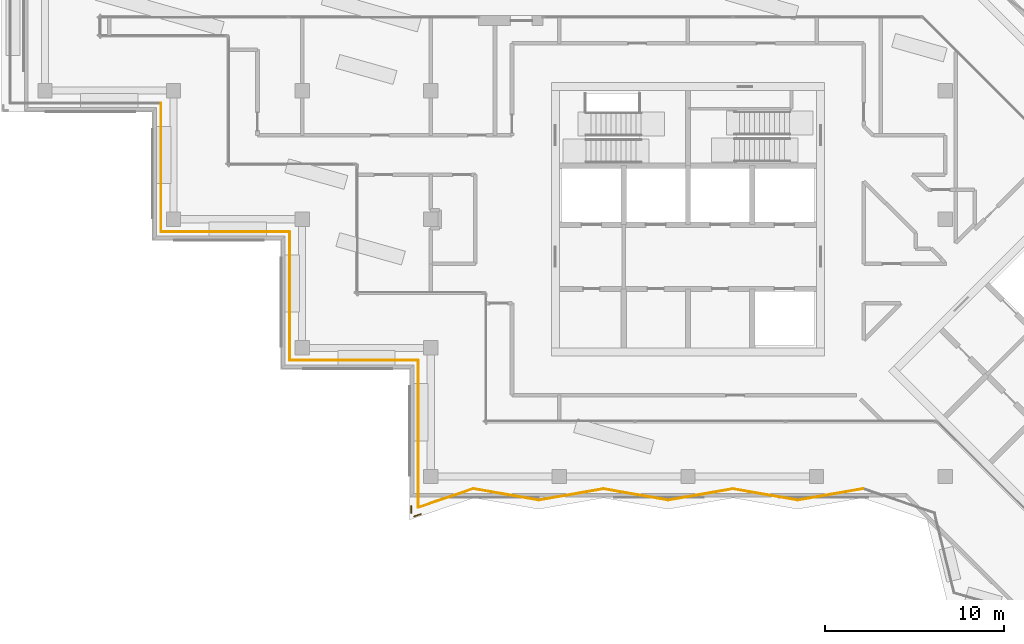
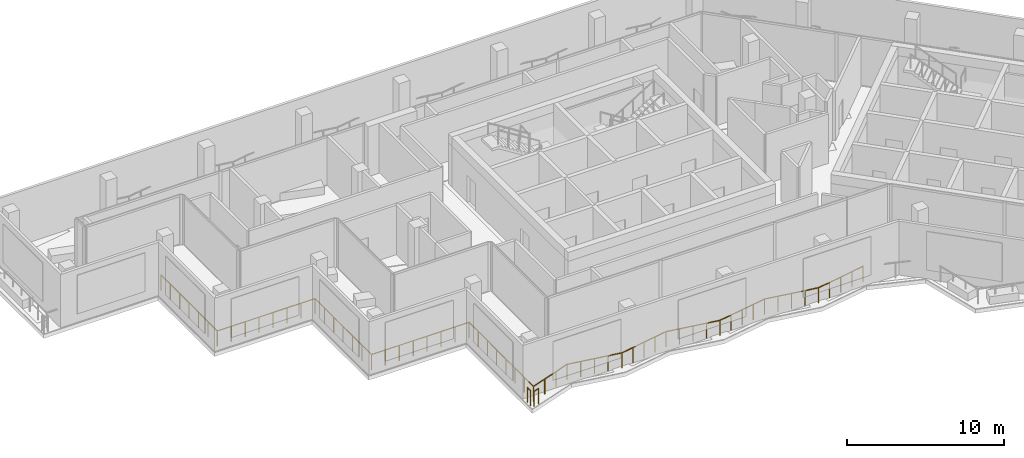
# One storey, part 13 of 19: 14 railings.
"""IFC4 building model written with IfcOpenShell, lengths in metres."""

from ifc_helpers import new_model, si_unit, direction, frame, origin, origin_2d, place, context, subcontext, project, spatial, circle, extrude, material, type_object, element, save


model = new_model("IFC4")

# Units and contexts
model_context = context("Model", 3, precision=1e-05, world=origin(), true_north=direction((0.0, 1.0)))
body_context = subcontext(model_context, "Body", "Model", "MODEL_VIEW")
ifc_project = project(units=[si_unit("LENGTHUNIT", "METRE"), si_unit("AREAUNIT", "SQUARE_METRE"), si_unit("VOLUMEUNIT", "CUBIC_METRE"), si_unit("PLANEANGLEUNIT", "RADIAN"), si_unit("MASSUNIT", "GRAM", prefix="KILO")], contexts=[model_context])

# Site, building, storey
site_placement = place(None, origin())
site = spatial("IfcSite", under=ifc_project, at=site_placement, CompositionType="ELEMENT")
building_placement = place(site_placement, origin())
building = spatial("IfcBuilding", under=site, at=building_placement, Name="Windrow Commons", CompositionType="ELEMENT")
storey_placement = place(building_placement, frame((0.0, 0.0, 230.4)))
storey = spatial("IfcBuildingStorey", under=building, at=storey_placement, Name="L63", CompositionType="ELEMENT", Elevation=230.4)

# Railings
ifc_material = material(Name="Stainless steel S316 balustrade with toughened glass infill", Category="steel")
railing_type = type_object("IfcRailingType", Name="Terrace guard 1200 podium", PredefinedType="BALUSTRADE", material=ifc_material)
railing_1_placement = place(storey_placement, frame((70.9417, 41.8746, 0.05)))
element("IfcRailing", 1, at=railing_1_placement, inside=storey, type_object=railing_type, Name="Guard TR-L63-1.E1", PredefinedType="BALUSTRADE", context=body_context, shape_type="SweptSolid", body=[
    extrude(circle(Radius=0.025, at=origin_2d()), frame((0.0, 0.0, 1.175), z_axis=(-0.9850825833, 0.1720822594, 0.0), x_axis=(-0.1720822594, -0.9850825833, 0.0)), (0.0, 0.0, 1.0), 3.6785),
    extrude(circle(Radius=0.02, at=origin_2d()), origin(), (0.0, 0.0, 1.0), 1.15),
    extrude(circle(Radius=0.02, at=origin_2d()), frame((-0.9059, 0.1582, 0.0)), (0.0, 0.0, 1.0), 1.15),
    extrude(circle(Radius=0.02, at=origin_2d()), frame((-1.8118, 0.3165, 0.0)), (0.0, 0.0, 1.0), 1.15),
    extrude(circle(Radius=0.02, at=origin_2d()), frame((-2.7177, 0.4747, 0.0)), (0.0, 0.0, 1.0), 1.15),
    extrude(circle(Radius=0.02, at=origin_2d()), frame((-3.6236, 0.633, 0.0)), (0.0, 0.0, 1.0), 1.15),
])
railing_2_placement = place(storey_placement, frame((67.3181, 42.5076, 0.05)))
element("IfcRailing", 2, at=railing_2_placement, inside=storey, type_object=railing_type, Name="Guard TR-L63-1.E2", PredefinedType="BALUSTRADE", context=body_context, shape_type="SweptSolid", body=[
    extrude(circle(Radius=0.025, at=origin_2d()), frame((0.0, 0.0, 1.175), z_axis=(-0.9850833883, -0.1720776512, 0.0), x_axis=(0.1720776512, -0.9850833883, 0.0)), (0.0, 0.0, 1.0), 3.6786),
    extrude(circle(Radius=0.02, at=origin_2d()), origin(), (0.0, 0.0, 1.0), 1.15),
    extrude(circle(Radius=0.02, at=origin_2d()), frame((-0.9059, -0.1582, 0.0)), (0.0, 0.0, 1.0), 1.15),
    extrude(circle(Radius=0.02, at=origin_2d()), frame((-1.8118, -0.3165, 0.0)), (0.0, 0.0, 1.0), 1.15),
    extrude(circle(Radius=0.02, at=origin_2d()), frame((-2.7178, -0.4747, 0.0)), (0.0, 0.0, 1.0), 1.15),
    extrude(circle(Radius=0.02, at=origin_2d()), frame((-3.6237, -0.633, 0.0)), (0.0, 0.0, 1.0), 1.15),
])
railing_3_placement = place(storey_placement, frame((63.6944, 41.8746, 0.05)))
element("IfcRailing", 3, at=railing_3_placement, inside=storey, type_object=railing_type, Name="Guard TR-L63-1.E3", PredefinedType="BALUSTRADE", context=body_context, shape_type="SweptSolid", body=[
    extrude(circle(Radius=0.025, at=origin_2d()), frame((0.0, 0.0, 1.175), z_axis=(-0.9850825833, 0.1720822594, 0.0), x_axis=(-0.1720822594, -0.9850825833, 0.0)), (0.0, 0.0, 1.0), 3.6785),
    extrude(circle(Radius=0.02, at=origin_2d()), origin(), (0.0, 0.0, 1.0), 1.15),
    extrude(circle(Radius=0.02, at=origin_2d()), frame((-0.9059, 0.1582, 0.0)), (0.0, 0.0, 1.0), 1.15),
    extrude(circle(Radius=0.02, at=origin_2d()), frame((-1.8118, 0.3165, 0.0)), (0.0, 0.0, 1.0), 1.15),
    extrude(circle(Radius=0.02, at=origin_2d()), frame((-2.7177, 0.4747, 0.0)), (0.0, 0.0, 1.0), 1.15),
    extrude(circle(Radius=0.02, at=origin_2d()), frame((-3.6236, 0.633, 0.0)), (0.0, 0.0, 1.0), 1.15),
])
railing_4_placement = place(storey_placement, frame((60.0708, 42.5076, 0.05)))
element("IfcRailing", 4, at=railing_4_placement, inside=storey, type_object=railing_type, Name="Guard TR-L63-1.E4", PredefinedType="BALUSTRADE", context=body_context, shape_type="SweptSolid", body=[
    extrude(circle(Radius=0.025, at=origin_2d()), frame((0.0, 0.0, 1.175), z_axis=(-0.9850825833, -0.1720822594, 0.0), x_axis=(0.1720822594, -0.9850825833, 0.0)), (0.0, 0.0, 1.0), 3.6785),
    extrude(circle(Radius=0.02, at=origin_2d()), origin(), (0.0, 0.0, 1.0), 1.15),
    extrude(circle(Radius=0.02, at=origin_2d()), frame((-0.9059, -0.1582, 0.0)), (0.0, 0.0, 1.0), 1.15),
    extrude(circle(Radius=0.02, at=origin_2d()), frame((-1.8118, -0.3165, 0.0)), (0.0, 0.0, 1.0), 1.15),
    extrude(circle(Radius=0.02, at=origin_2d()), frame((-2.7177, -0.4747, 0.0)), (0.0, 0.0, 1.0), 1.15),
    extrude(circle(Radius=0.02, at=origin_2d()), frame((-3.6236, -0.633, 0.0)), (0.0, 0.0, 1.0), 1.15),
])
railing_5_placement = place(storey_placement, frame((56.4472, 41.8746, 0.05)))
element("IfcRailing", 5, at=railing_5_placement, inside=storey, type_object=railing_type, Name="Guard TR-L63-1.E5", PredefinedType="BALUSTRADE", context=body_context, shape_type="SweptSolid", body=[
    extrude(circle(Radius=0.025, at=origin_2d()), frame((0.0, 0.0, 1.175), z_axis=(-0.9850820148, 0.1720855141, 0.0), x_axis=(-0.1720855141, -0.9850820148, 0.0)), (0.0, 0.0, 1.0), 3.7191),
    extrude(circle(Radius=0.02, at=origin_2d()), origin(), (0.0, 0.0, 1.0), 1.15),
    extrude(circle(Radius=0.02, at=origin_2d()), frame((-0.9159, 0.16, 0.0)), (0.0, 0.0, 1.0), 1.15),
    extrude(circle(Radius=0.02, at=origin_2d()), frame((-1.8318, 0.32, 0.0)), (0.0, 0.0, 1.0), 1.15),
    extrude(circle(Radius=0.02, at=origin_2d()), frame((-2.7477, 0.48, 0.0)), (0.0, 0.0, 1.0), 1.15),
    extrude(circle(Radius=0.02, at=origin_2d()), frame((-3.6636, 0.64, 0.0)), (0.0, 0.0, 1.0), 1.15),
])
railing_6_placement = place(storey_placement, frame((52.7836, 42.5146, 0.05)))
element("IfcRailing", 6, at=railing_6_placement, inside=storey, type_object=railing_type, Name="Guard TR-L63-1.E6", PredefinedType="BALUSTRADE", context=body_context, shape_type="SweptSolid", body=[
    extrude(circle(Radius=0.025, at=origin_2d()), frame((0.0, 0.0, 1.175), z_axis=(-0.9466907499, -0.3221437942, 0.0), x_axis=(0.3221437942, -0.9466907499, 0.0)), (0.0, 0.0, 1.0), 3.2572),
    extrude(circle(Radius=0.02, at=origin_2d()), origin(), (0.0, 0.0, 1.0), 1.15),
    extrude(circle(Radius=0.02, at=origin_2d()), frame((-1.0279, -0.3498, 0.0)), (0.0, 0.0, 1.0), 1.15),
    extrude(circle(Radius=0.02, at=origin_2d()), frame((-2.0557, -0.6995, 0.0)), (0.0, 0.0, 1.0), 1.15),
    extrude(circle(Radius=0.02, at=origin_2d()), frame((-3.0836, -1.0493, 0.0)), (0.0, 0.0, 1.0), 1.15),
])
railing_7_placement = place(storey_placement, frame((49.7, 41.4653, 0.05)))
element("IfcRailing", 7, at=railing_7_placement, inside=storey, type_object=railing_type, Name="Guard TR-L63-1.E7", PredefinedType="BALUSTRADE", context=body_context, shape_type="SweptSolid", body=[
    extrude(circle(Radius=0.025, at=origin_2d()), frame((0.0, 0.0, 1.175), z_axis=(0.0, 1.0, 0.0), x_axis=(-1.0, 0.0, 0.0)), (0.0, 0.0, 1.0), 8.2347),
    extrude(circle(Radius=0.02, at=origin_2d()), origin(), (0.0, 0.0, 1.0), 1.15),
    extrude(circle(Radius=0.02, at=origin_2d()), frame((0.0, 1.1764, 0.0)), (0.0, 0.0, 1.0), 1.15),
    extrude(circle(Radius=0.02, at=origin_2d()), frame((0.0, 2.3528, 0.0)), (0.0, 0.0, 1.0), 1.15),
    extrude(circle(Radius=0.02, at=origin_2d()), frame((0.0, 3.5292, 0.0)), (0.0, 0.0, 1.0), 1.15),
    extrude(circle(Radius=0.02, at=origin_2d()), frame((0.0, 4.7055, 0.0)), (0.0, 0.0, 1.0), 1.15),
    extrude(circle(Radius=0.02, at=origin_2d()), frame((0.0, 5.8819, 0.0)), (0.0, 0.0, 1.0), 1.15),
    extrude(circle(Radius=0.02, at=origin_2d()), frame((0.0, 7.0583, 0.0)), (0.0, 0.0, 1.0), 1.15),
    extrude(circle(Radius=0.02, at=origin_2d()), frame((0.0, 8.2347, 0.0)), (0.0, 0.0, 1.0), 1.15),
])
railing_8_placement = place(storey_placement, frame((49.7, 49.7, 0.05)))
element("IfcRailing", 8, at=railing_8_placement, inside=storey, type_object=railing_type, Name="Guard TR-L63-1.E8", PredefinedType="BALUSTRADE", context=body_context, shape_type="SweptSolid", body=[
    extrude(circle(Radius=0.025, at=origin_2d()), frame((0.0, 0.0, 1.175), z_axis=(-1.0, 0.0, 0.0), x_axis=(0.0, -1.0, 0.0)), (0.0, 0.0, 1.0), 7.2),
    extrude(circle(Radius=0.02, at=origin_2d()), origin(), (0.0, 0.0, 1.0), 1.15),
    extrude(circle(Radius=0.02, at=origin_2d()), frame((-1.0286, 0.0, 0.0)), (0.0, 0.0, 1.0), 1.15),
    extrude(circle(Radius=0.02, at=origin_2d()), frame((-2.0571, 0.0, 0.0)), (0.0, 0.0, 1.0), 1.15),
    extrude(circle(Radius=0.02, at=origin_2d()), frame((-3.0857, 0.0, 0.0)), (0.0, 0.0, 1.0), 1.15),
    extrude(circle(Radius=0.02, at=origin_2d()), frame((-4.1143, 0.0, 0.0)), (0.0, 0.0, 1.0), 1.15),
    extrude(circle(Radius=0.02, at=origin_2d()), frame((-5.1429, 0.0, 0.0)), (0.0, 0.0, 1.0), 1.15),
    extrude(circle(Radius=0.02, at=origin_2d()), frame((-6.1714, 0.0, 0.0)), (0.0, 0.0, 1.0), 1.15),
    extrude(circle(Radius=0.02, at=origin_2d()), frame((-7.2, 0.0, 0.0)), (0.0, 0.0, 1.0), 1.15),
])
railing_9_placement = place(storey_placement, frame((42.5, 49.7, 0.05)))
element("IfcRailing", 9, at=railing_9_placement, inside=storey, type_object=railing_type, Name="Guard TR-L63-1.E9", PredefinedType="BALUSTRADE", context=body_context, shape_type="SweptSolid", body=[
    extrude(circle(Radius=0.025, at=origin_2d()), frame((0.0, 0.0, 1.175), z_axis=(0.0, 1.0, 0.0), x_axis=(-1.0, 0.0, 0.0)), (0.0, 0.0, 1.0), 7.2),
    extrude(circle(Radius=0.02, at=origin_2d()), origin(), (0.0, 0.0, 1.0), 1.15),
    extrude(circle(Radius=0.02, at=origin_2d()), frame((0.0, 1.2, 0.0)), (0.0, 0.0, 1.0), 1.15),
    extrude(circle(Radius=0.02, at=origin_2d()), frame((0.0, 2.4, 0.0)), (0.0, 0.0, 1.0), 1.15),
    extrude(circle(Radius=0.02, at=origin_2d()), frame((0.0, 3.6, 0.0)), (0.0, 0.0, 1.0), 1.15),
    extrude(circle(Radius=0.02, at=origin_2d()), frame((0.0, 4.8, 0.0)), (0.0, 0.0, 1.0), 1.15),
    extrude(circle(Radius=0.02, at=origin_2d()), frame((0.0, 6.0, 0.0)), (0.0, 0.0, 1.0), 1.15),
    extrude(circle(Radius=0.02, at=origin_2d()), frame((0.0, 7.2, 0.0)), (0.0, 0.0, 1.0), 1.15),
])
railing_10_placement = place(storey_placement, frame((42.5, 56.9, 0.05)))
element("IfcRailing", 10, at=railing_10_placement, inside=storey, type_object=railing_type, Name="Guard TR-L63-1.E10", PredefinedType="BALUSTRADE", context=body_context, shape_type="SweptSolid", body=[
    extrude(circle(Radius=0.025, at=origin_2d()), frame((0.0, 0.0, 1.175), z_axis=(-1.0, 0.0, 0.0), x_axis=(0.0, -1.0, 0.0)), (0.0, 0.0, 1.0), 7.2),
    extrude(circle(Radius=0.02, at=origin_2d()), origin(), (0.0, 0.0, 1.0), 1.15),
    extrude(circle(Radius=0.02, at=origin_2d()), frame((-1.0286, 0.0, 0.0)), (0.0, 0.0, 1.0), 1.15),
    extrude(circle(Radius=0.02, at=origin_2d()), frame((-2.0571, 0.0, 0.0)), (0.0, 0.0, 1.0), 1.15),
    extrude(circle(Radius=0.02, at=origin_2d()), frame((-3.0857, 0.0, 0.0)), (0.0, 0.0, 1.0), 1.15),
    extrude(circle(Radius=0.02, at=origin_2d()), frame((-4.1143, 0.0, 0.0)), (0.0, 0.0, 1.0), 1.15),
    extrude(circle(Radius=0.02, at=origin_2d()), frame((-5.1429, 0.0, 0.0)), (0.0, 0.0, 1.0), 1.15),
    extrude(circle(Radius=0.02, at=origin_2d()), frame((-6.1714, 0.0, 0.0)), (0.0, 0.0, 1.0), 1.15),
    extrude(circle(Radius=0.02, at=origin_2d()), frame((-7.2, 0.0, 0.0)), (0.0, 0.0, 1.0), 1.15),
])
railing_11_placement = place(storey_placement, frame((35.3, 56.9, 0.05)))
element("IfcRailing", 11, at=railing_11_placement, inside=storey, type_object=railing_type, Name="Guard TR-L63-1.E11", PredefinedType="BALUSTRADE", context=body_context, shape_type="SweptSolid", body=[
    extrude(circle(Radius=0.025, at=origin_2d()), frame((0.0, 0.0, 1.175), z_axis=(0.0, 1.0, 0.0), x_axis=(-1.0, 0.0, 0.0)), (0.0, 0.0, 1.0), 7.2),
    extrude(circle(Radius=0.02, at=origin_2d()), origin(), (0.0, 0.0, 1.0), 1.15),
    extrude(circle(Radius=0.02, at=origin_2d()), frame((0.0, 1.2, 0.0)), (0.0, 0.0, 1.0), 1.15),
    extrude(circle(Radius=0.02, at=origin_2d()), frame((0.0, 2.4, 0.0)), (0.0, 0.0, 1.0), 1.15),
    extrude(circle(Radius=0.02, at=origin_2d()), frame((0.0, 3.6, 0.0)), (0.0, 0.0, 1.0), 1.15),
    extrude(circle(Radius=0.02, at=origin_2d()), frame((0.0, 4.8, 0.0)), (0.0, 0.0, 1.0), 1.15),
    extrude(circle(Radius=0.02, at=origin_2d()), frame((0.0, 6.0, 0.0)), (0.0, 0.0, 1.0), 1.15),
    extrude(circle(Radius=0.02, at=origin_2d()), frame((0.0, 7.2, 0.0)), (0.0, 0.0, 1.0), 1.15),
])
railing_12_placement = place(storey_placement, frame((74.6053, 42.5146, 0.05)))
element("IfcRailing", 12, at=railing_12_placement, inside=storey, type_object=railing_type, Name="Guard TR-L63-1.E44", PredefinedType="BALUSTRADE", context=body_context, shape_type="SweptSolid", body=[
    extrude(circle(Radius=0.025, at=origin_2d()), frame((0.0, 0.0, 1.175), z_axis=(-0.9850820148, -0.1720855141, 0.0), x_axis=(0.1720855141, -0.9850820148, 0.0)), (0.0, 0.0, 1.0), 3.7191),
    extrude(circle(Radius=0.02, at=origin_2d()), origin(), (0.0, 0.0, 1.0), 1.15),
    extrude(circle(Radius=0.02, at=origin_2d()), frame((-0.9159, -0.16, 0.0)), (0.0, 0.0, 1.0), 1.15),
    extrude(circle(Radius=0.02, at=origin_2d()), frame((-1.8318, -0.32, 0.0)), (0.0, 0.0, 1.0), 1.15),
    extrude(circle(Radius=0.02, at=origin_2d()), frame((-2.7477, -0.48, 0.0)), (0.0, 0.0, 1.0), 1.15),
    extrude(circle(Radius=0.02, at=origin_2d()), frame((-3.6636, -0.64, 0.0)), (0.0, 0.0, 1.0), 1.15),
])
railing_13_placement = place(storey_placement, frame((49.8428, 41.0913, 0.05)))
element("IfcRailing", 13, at=railing_13_placement, inside=storey, type_object=railing_type, Name="Guard TR-L63-1.C215", PredefinedType="BALUSTRADE", context=body_context, shape_type="SweptSolid", body=[
    extrude(circle(Radius=0.025, at=origin_2d()), frame((0.0, 0.0, 1.175), z_axis=(-0.9467248203, -0.3220436532, 0.0), x_axis=(0.3220436532, -0.9467248203, 0.0)), (0.0, 0.0, 1.0), 0.4071),
    extrude(circle(Radius=0.02, at=origin_2d()), origin(), (0.0, 0.0, 1.0), 1.15),
    extrude(circle(Radius=0.02, at=origin_2d()), frame((-0.3854, -0.1311, 0.0)), (0.0, 0.0, 1.0), 1.15),
])
railing_14_placement = place(storey_placement, frame((49.3, 41.1474, 0.05)))
element("IfcRailing", 14, at=railing_14_placement, inside=storey, type_object=railing_type, Name="Guard TR-L63-1.C216", PredefinedType="BALUSTRADE", context=body_context, shape_type="SweptSolid", body=[
    extrude(circle(Radius=0.025, at=origin_2d()), frame((0.0, 0.0, 1.175), z_axis=(0.0, 1.0, 0.0), x_axis=(-1.0, 0.0, 0.0)), (0.0, 0.0, 1.0), 0.4071),
    extrude(circle(Radius=0.02, at=origin_2d()), origin(), (0.0, 0.0, 1.0), 1.15),
    extrude(circle(Radius=0.02, at=origin_2d()), frame((0.0, 0.4071, 0.0)), (0.0, 0.0, 1.0), 1.15),
])

save(model, "model.ifc")
